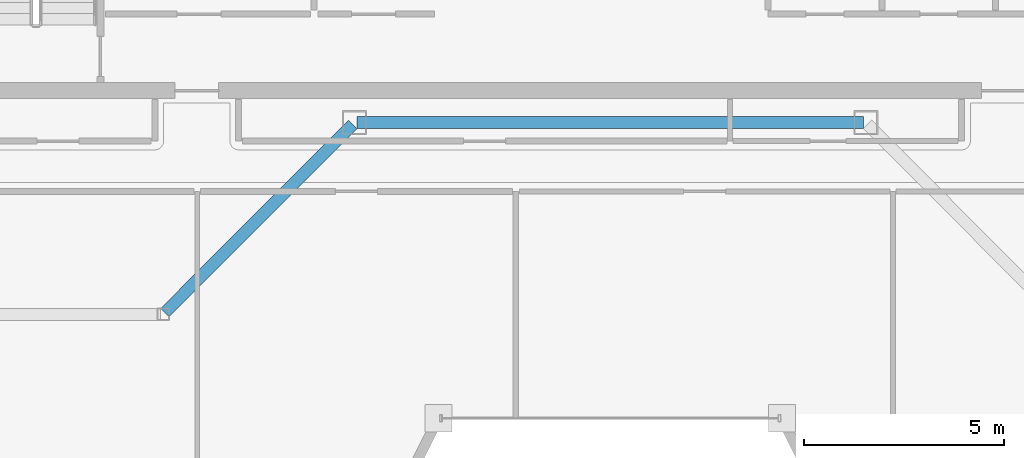
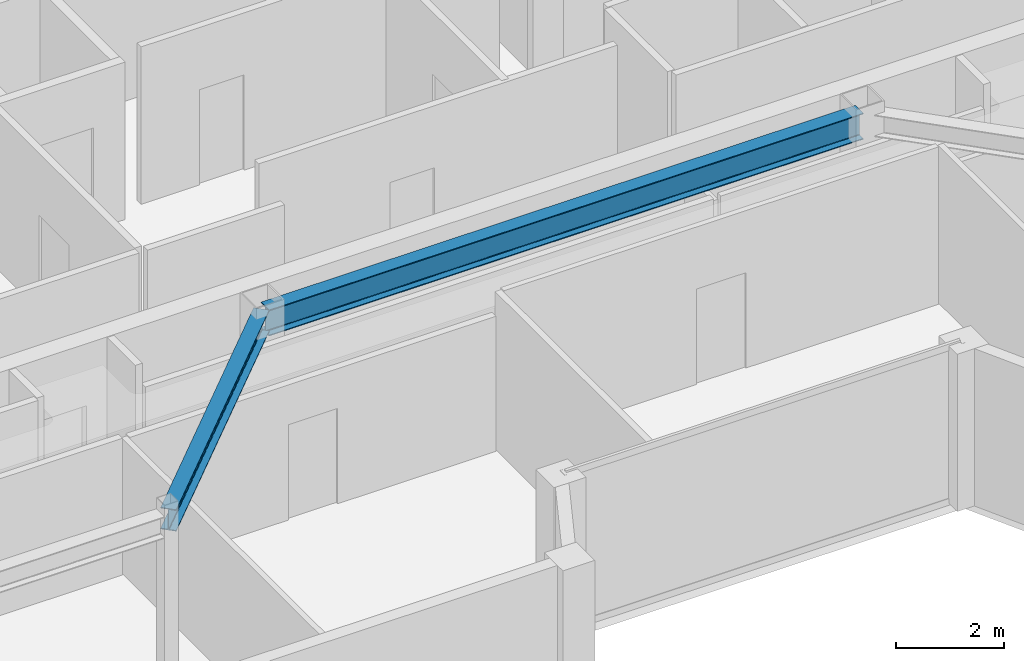
# One storey, part 5 of 20: 2 beams.
"""IFC4 building model written with IfcOpenShell, lengths in metres."""

from ifc_helpers import new_model, si_unit, direction, frame, origin, origin_2d, place, context, subcontext, project, spatial, i_section, extrude, material, material_profile, profile_set, type_object, element, save


model = new_model("IFC4")

# Units and contexts
model_context = context("Model", 3, precision=1e-05, world=origin(), true_north=direction((0.0, 1.0)))
body_context = subcontext(model_context, "Body", "Model", "MODEL_VIEW")
ifc_project = project(units=[si_unit("LENGTHUNIT", "METRE"), si_unit("AREAUNIT", "SQUARE_METRE"), si_unit("VOLUMEUNIT", "CUBIC_METRE"), si_unit("PLANEANGLEUNIT", "RADIAN"), si_unit("MASSUNIT", "GRAM", prefix="KILO")], contexts=[model_context])

# Site, building, storey
site_placement = place(None, origin())
site = spatial("IfcSite", under=ifc_project, at=site_placement, CompositionType="ELEMENT")
building_placement = place(site_placement, origin())
building = spatial("IfcBuilding", under=site, at=building_placement, Name="Saevonmaru Cultural Tower", CompositionType="ELEMENT")
storey_placement = place(building_placement, frame((0.0, 0.0, 295.199951171875)))
storey = spatial("IfcBuildingStorey", under=building, at=storey_placement, Name="L70", CompositionType="ELEMENT", Elevation=295.199951171875)

# Beams
ifc_material = material(Name="Steel SM355", Category="steel")
ifc_material_profile_1 = material_profile(ifc_material, i_section(OverallWidth=0.300048828125, OverallDepth=0.488037109375, WebThickness=0.010986328125, FlangeThickness=0.01806640625, FilletRadius=0.02197265625, at=origin_2d()), Name="H-488x300x11x18")
ifc_profile_set_1 = profile_set([ifc_material_profile_1], Name="Steel SM355")
beam_type_1 = type_object("IfcBeamType", Name="BM-G-H488", PredefinedType="BEAM", material=ifc_profile_set_1)
beam_1_placement = place(storey_placement, frame((18.850341796875, 37.642578125, 3.30615234375), z_axis=(0.706538566564, 0.707674539572, 0.0), x_axis=(-0.707674539572, 0.706538566564, 0.0)))
element("IfcBeam", 1, at=beam_1_placement, inside=storey, type_object=beam_type_1, Name="L70 West Atrium Girder 1", PredefinedType="BEAM", context=body_context, shape_type="SweptSolid", body=[
    extrude(i_section(OverallWidth=0.300048828125, OverallDepth=0.488037109375, WebThickness=0.010986328125, FlangeThickness=0.01806640625, FilletRadius=0.02197265625, at=origin_2d()), origin(), (0.0, 0.0, 1.0), 6.662353515625),
])
ifc_material_profile_2 = material_profile(ifc_material, i_section(OverallWidth=0.300048828125, OverallDepth=0.587890625, WebThickness=0.011962890625, FlangeThickness=0.02001953125, FilletRadius=0.02392578125, at=origin_2d()), Name="H-588x300x12x20")
ifc_profile_set_2 = profile_set([ifc_material_profile_2], Name="Steel SM355")
beam_type_2 = type_object("IfcBeamType", Name="BM-G-H588", PredefinedType="BEAM", material=ifc_profile_set_2)
beam_2_placement = place(storey_placement, frame((23.659912109375, 42.39990234375, 3.256103515625), z_axis=(1.0, 0.0, 0.0), x_axis=(0.0, 1.0, 0.0)))
element("IfcBeam", 2, at=beam_2_placement, inside=storey, type_object=beam_type_2, Name="L70 Core South Girder 3", PredefinedType="BEAM", context=body_context, shape_type="SweptSolid", body=[
    extrude(i_section(OverallWidth=0.300048828125, OverallDepth=0.587890625, WebThickness=0.011962890625, FlangeThickness=0.02001953125, FilletRadius=0.02392578125, at=origin_2d()), origin(), (0.0, 0.0, 1.0), 12.68017578125),
])

save(model, "model.ifc")
